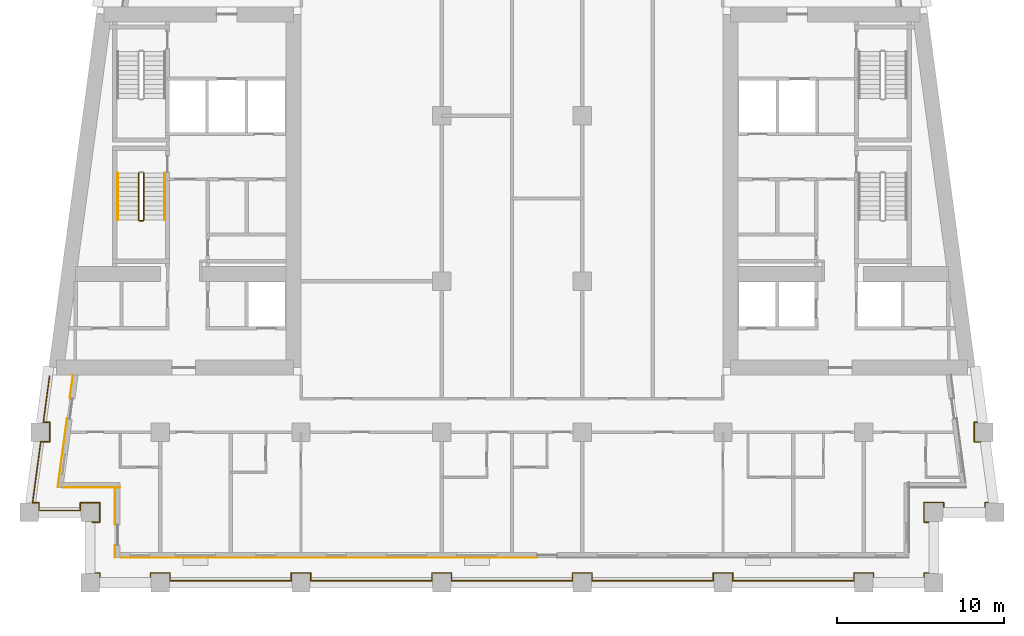
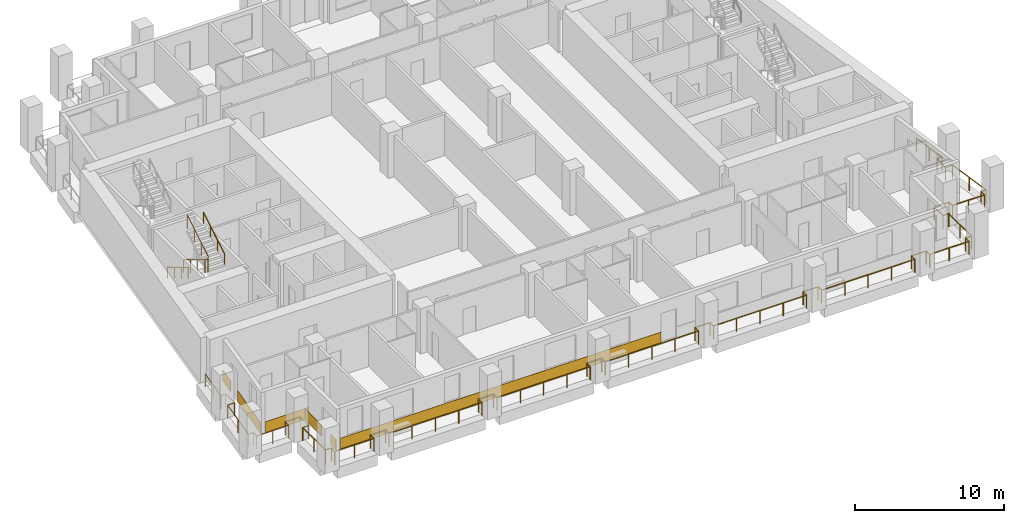
# One storey, part 8 of 12: 6 coverings, 5 railings.
"""IFC4 building model written with IfcOpenShell, lengths in metres."""

from ifc_helpers import new_model, si_unit, direction, frame, origin, origin_2d, place, context, subcontext, project, spatial, rectangle, circle, extrude, material, layer, layer_set, type_object, element, save


model = new_model("IFC4")

# Units and contexts
model_context = context("Model", 3, precision=1e-05, world=origin(), true_north=direction((0.0, 1.0)))
body_context = subcontext(model_context, "Body", "Model", "MODEL_VIEW")
ifc_project = project(units=[si_unit("LENGTHUNIT", "METRE"), si_unit("AREAUNIT", "SQUARE_METRE"), si_unit("VOLUMEUNIT", "CUBIC_METRE"), si_unit("PLANEANGLEUNIT", "RADIAN"), si_unit("MASSUNIT", "GRAM", prefix="KILO")], contexts=[model_context])

# Site, building, storey
site_placement = place(None, origin())
site = spatial("IfcSite", under=ifc_project, at=site_placement, CompositionType="ELEMENT")
building_placement = place(site_placement, origin())
building = spatial("IfcBuilding", under=site, at=building_placement, Name="Candeia Pilgrim Tower and Theatre", CompositionType="ELEMENT")
storey_placement = place(building_placement, frame((0.0, 0.0, 162.60009765625)))
storey = spatial("IfcBuildingStorey", under=building, at=storey_placement, Name="L38", CompositionType="ELEMENT", Elevation=162.60009765625)

# Railings
ifc_material_1 = material(Name="Stainless steel balustrade", Category="steel")
railing_type_1 = type_object("IfcRailingType", Name="G1 loggia guard 1100", PredefinedType="GUARDRAIL", material=ifc_material_1)
railing_1_placement = place(storey_placement, frame((88.320068359375, 101.6201171875, 0.0)))
element("IfcRailing", 1, at=railing_1_placement, inside=storey, type_object=railing_type_1, Name="Guard L38.1", PredefinedType="GUARDRAIL", context=body_context, shape_type="SweptSolid", body=[
    extrude(circle(Radius=0.02392578125, at=origin_2d()), frame((0.0, 0.0, 1.076171875), z_axis=(1.0, 0.0, 0.0), x_axis=(0.0, 1.0, 0.0)), (0.0, 0.0, 1.0), 0.4599609375),
    extrude(circle(Radius=0.02392578125, at=origin_2d()), frame((0.4599609375, 0.0, 1.076171875), z_axis=(0.0, 1.0, 0.0), x_axis=(-1.0, 0.0, 0.0)), (0.0, 0.0, 1.0), 1.159912109375),
    extrude(circle(Radius=0.02392578125, at=origin_2d()), frame((0.4599609375, 1.159912109375, 1.076171875), z_axis=(-1.0, 0.0, 0.0), x_axis=(0.0, -1.0, 0.0)), (0.0, 0.0, 1.0), 1.159912109375),
    extrude(circle(Radius=0.02392578125, at=origin_2d()), frame((-0.699951171875, 1.159912109375, 1.076171875), z_axis=(0.0, -1.0, 0.0), x_axis=(1.0, 0.0, 0.0)), (0.0, 0.0, 1.0), 0.4599609375),
    extrude(circle(Radius=0.02392578125, at=origin_2d()), frame((-0.699951171875, 0.699951171875, 1.076171875), z_axis=(-1.0, 0.0, 0.0), x_axis=(0.0, -1.0, 0.0)), (0.0, 0.0, 1.0), 2.474853515625),
    extrude(circle(Radius=0.02392578125, at=origin_2d()), frame((-3.1748046875, 0.699951171875, 1.076171875), z_axis=(0.0, 1.0, 0.0), x_axis=(-1.0, 0.0, 0.0)), (0.0, 0.0, 1.0), 0.4599609375),
    extrude(circle(Radius=0.02392578125, at=origin_2d()), frame((-3.1748046875, 1.159912109375, 1.076171875), z_axis=(-1.0, 0.0, 0.0), x_axis=(0.0, -1.0, 0.0)), (0.0, 0.0, 1.0), 0.380615234375),
    extrude(circle(Radius=0.02392578125, at=origin_2d()), frame((-3.555419921875, 1.159912109375, 1.076171875), z_axis=(0.133413267734, 0.9910604926, 0.0), x_axis=(-0.9910604926, 0.133413267734, 0.0)), (0.0, 0.0, 1.0), 3.672607421875),
    extrude(circle(Radius=0.02392578125, at=origin_2d()), frame((-3.0654296875, 4.7998046875, 1.076171875), z_axis=(1.0, 0.0, 0.0), x_axis=(0.0, 1.0, 0.0)), (0.0, 0.0, 1.0), 0.536865234375),
    extrude(circle(Radius=0.02392578125, at=origin_2d()), frame((-2.528564453125, 4.7998046875, 1.076171875), z_axis=(0.0, 1.0, 0.0), x_axis=(-1.0, 0.0, 0.0)), (0.0, 0.0, 1.0), 1.16015625),
    extrude(circle(Radius=0.02392578125, at=origin_2d()), frame((-2.528564453125, 5.9599609375, 1.076171875), z_axis=(-1.0, 0.0, 0.0), x_axis=(0.0, -1.0, 0.0)), (0.0, 0.0, 1.0), 0.380859375),
    extrude(circle(Radius=0.02392578125, at=origin_2d()), frame((-2.909423828125, 5.9599609375, 1.076171875), z_axis=(0.133468107709, 0.99105310868, 0.0), x_axis=(-0.99105310868, 0.133468107709, 0.0)), (0.0, 0.0, 1.0), 2.794921875),
    extrude(circle(Radius=0.02099609375, at=origin_2d()), origin(), (0.0, 0.0, 1.0), 1.052001953125),
    extrude(circle(Radius=0.02099609375, at=origin_2d()), frame((0.4599609375, 0.0, 0.0)), (0.0, 0.0, 1.0), 1.052001953125),
    extrude(circle(Radius=0.02099609375, at=origin_2d()), frame((0.4599609375, 1.159912109375, 0.0)), (0.0, 0.0, 1.0), 1.052001953125),
    extrude(circle(Radius=0.02099609375, at=origin_2d()), frame((-0.699951171875, 1.159912109375, 0.0)), (0.0, 0.0, 1.0), 1.052001953125),
    extrude(circle(Radius=0.02099609375, at=origin_2d()), frame((-0.699951171875, 0.699951171875, 0.0)), (0.0, 0.0, 1.0), 1.052001953125),
    extrude(circle(Radius=0.02099609375, at=origin_2d()), frame((-1.9375, 0.699951171875, 0.0)), (0.0, 0.0, 1.0), 1.052001953125),
    extrude(circle(Radius=0.02099609375, at=origin_2d()), frame((-3.1748046875, 0.699951171875, 0.0)), (0.0, 0.0, 1.0), 1.052001953125),
    extrude(circle(Radius=0.02099609375, at=origin_2d()), frame((-3.1748046875, 1.159912109375, 0.0)), (0.0, 0.0, 1.0), 1.052001953125),
    extrude(circle(Radius=0.02099609375, at=origin_2d()), frame((-3.555419921875, 1.159912109375, 0.0)), (0.0, 0.0, 1.0), 1.052001953125),
    extrude(circle(Radius=0.02099609375, at=origin_2d()), frame((-3.310546875, 2.97998046875, 0.0)), (0.0, 0.0, 1.0), 1.052001953125),
    extrude(circle(Radius=0.02099609375, at=origin_2d()), frame((-3.0654296875, 4.7998046875, 0.0)), (0.0, 0.0, 1.0), 1.052001953125),
    extrude(circle(Radius=0.02099609375, at=origin_2d()), frame((-2.528564453125, 4.7998046875, 0.0)), (0.0, 0.0, 1.0), 1.052001953125),
    extrude(circle(Radius=0.02099609375, at=origin_2d()), frame((-2.528564453125, 5.9599609375, 0.0)), (0.0, 0.0, 1.0), 1.052001953125),
    extrude(circle(Radius=0.02099609375, at=origin_2d()), frame((-2.909423828125, 5.9599609375, 0.0)), (0.0, 0.0, 1.0), 1.052001953125),
    extrude(circle(Radius=0.02099609375, at=origin_2d()), frame((-2.722900390625, 7.344970703125, 0.0)), (0.0, 0.0, 1.0), 1.052001953125),
    extrude(circle(Radius=0.02099609375, at=origin_2d()), frame((-2.536376953125, 8.72998046875, 0.0)), (0.0, 0.0, 1.0), 1.052001953125),
])
railing_2_placement = place(storey_placement, frame((141.016357421875, 110.35009765625, 0.0)))
element("IfcRailing", 2, at=railing_2_placement, inside=storey, type_object=railing_type_1, Name="Guard L38.4", PredefinedType="GUARDRAIL", context=body_context, shape_type="SweptSolid", body=[
    extrude(circle(Radius=0.02392578125, at=origin_2d()), frame((0.0, 0.0, 1.076171875), z_axis=(0.133468107709, -0.99105310868, 0.0), x_axis=(0.99105310868, 0.133468107709, 0.0)), (0.0, 0.0, 1.0), 2.794921875),
    extrude(circle(Radius=0.02392578125, at=origin_2d()), frame((0.373046875, -2.77001953125, 1.076171875), z_axis=(-1.0, 0.0, 0.0), x_axis=(0.0, -1.0, 0.0)), (0.0, 0.0, 1.0), 0.380859375),
    extrude(circle(Radius=0.02392578125, at=origin_2d()), frame((-0.0078125, -2.77001953125, 1.076171875), z_axis=(0.0, -1.0, 0.0), x_axis=(1.0, 0.0, 0.0)), (0.0, 0.0, 1.0), 1.16015625),
    extrude(circle(Radius=0.02392578125, at=origin_2d()), frame((-0.0078125, -3.93017578125, 1.076171875), z_axis=(1.0, 0.0, 0.0), x_axis=(0.0, 1.0, 0.0)), (0.0, 0.0, 1.0), 0.536865234375),
    extrude(circle(Radius=0.02392578125, at=origin_2d()), frame((0.529052734375, -3.93017578125, 1.076171875), z_axis=(0.133413267734, -0.9910604926, 0.0), x_axis=(0.9910604926, 0.133413267734, 0.0)), (0.0, 0.0, 1.0), 3.672607421875),
    extrude(circle(Radius=0.02392578125, at=origin_2d()), frame((1.01904296875, -7.570068359375, 1.076171875), z_axis=(-1.0, 0.0, 0.0), x_axis=(0.0, -1.0, 0.0)), (0.0, 0.0, 1.0), 0.380859375),
    extrude(circle(Radius=0.02392578125, at=origin_2d()), frame((0.63818359375, -7.570068359375, 1.076171875), z_axis=(0.0, -1.0, 0.0), x_axis=(1.0, 0.0, 0.0)), (0.0, 0.0, 1.0), 0.4599609375),
    extrude(circle(Radius=0.02392578125, at=origin_2d()), frame((0.63818359375, -8.030029296875, 1.076171875), z_axis=(-1.0, 0.0, 0.0), x_axis=(0.0, -1.0, 0.0)), (0.0, 0.0, 1.0), 2.474609375),
    extrude(circle(Radius=0.02392578125, at=origin_2d()), frame((-1.83642578125, -8.030029296875, 1.076171875), z_axis=(0.0, 1.0, 0.0), x_axis=(-1.0, 0.0, 0.0)), (0.0, 0.0, 1.0), 0.4599609375),
    extrude(circle(Radius=0.02392578125, at=origin_2d()), frame((-1.83642578125, -7.570068359375, 1.076171875), z_axis=(-1.0, 0.0, 0.0), x_axis=(0.0, -1.0, 0.0)), (0.0, 0.0, 1.0), 1.159912109375),
    extrude(circle(Radius=0.02392578125, at=origin_2d()), frame((-2.996337890625, -7.570068359375, 1.076171875), z_axis=(0.0, -1.0, 0.0), x_axis=(1.0, 0.0, 0.0)), (0.0, 0.0, 1.0), 1.159912109375),
    extrude(circle(Radius=0.02392578125, at=origin_2d()), frame((-2.996337890625, -8.72998046875, 1.076171875), z_axis=(1.0, 0.0, 0.0), x_axis=(0.0, 1.0, 0.0)), (0.0, 0.0, 1.0), 0.4599609375),
    extrude(circle(Radius=0.02392578125, at=origin_2d()), frame((-2.536376953125, -8.72998046875, 1.076171875), z_axis=(0.0, -1.0, 0.0), x_axis=(1.0, 0.0, 0.0)), (0.0, 0.0, 1.0), 3.0400390625),
    extrude(circle(Radius=0.02392578125, at=origin_2d()), frame((-2.536376953125, -11.77001953125, 1.076171875), z_axis=(-1.0, 0.0, 0.0), x_axis=(0.0, -1.0, 0.0)), (0.0, 0.0, 1.0), 0.4599609375),
    extrude(circle(Radius=0.02392578125, at=origin_2d()), frame((-2.996337890625, -11.77001953125, 1.076171875), z_axis=(0.0, -1.0, 0.0), x_axis=(1.0, 0.0, 0.0)), (0.0, 0.0, 1.0), 0.4599609375),
    extrude(circle(Radius=0.02392578125, at=origin_2d()), frame((-2.996337890625, -12.22998046875, 1.076171875), z_axis=(-1.0, 0.0, 0.0), x_axis=(0.0, -1.0, 0.0)), (0.0, 0.0, 1.0), 3.0400390625),
    extrude(circle(Radius=0.02392578125, at=origin_2d()), frame((-6.036376953125, -12.22998046875, 1.076171875), z_axis=(0.0, 1.0, 0.0), x_axis=(-1.0, 0.0, 0.0)), (0.0, 0.0, 1.0), 0.4599609375),
    extrude(circle(Radius=0.02392578125, at=origin_2d()), frame((-6.036376953125, -11.77001953125, 1.076171875), z_axis=(-1.0, 0.0, 0.0), x_axis=(0.0, -1.0, 0.0)), (0.0, 0.0, 1.0), 1.159912109375),
    extrude(circle(Radius=0.02392578125, at=origin_2d()), frame((-7.1962890625, -11.77001953125, 1.076171875), z_axis=(0.0, -1.0, 0.0), x_axis=(1.0, 0.0, 0.0)), (0.0, 0.0, 1.0), 0.4599609375),
    extrude(circle(Radius=0.02392578125, at=origin_2d()), frame((-7.1962890625, -12.22998046875, 1.076171875), z_axis=(-1.0, 0.0, 0.0), x_axis=(0.0, -1.0, 0.0)), (0.0, 0.0, 1.0), 7.239990234375),
    extrude(circle(Radius=0.02392578125, at=origin_2d()), frame((-14.436279296875, -12.22998046875, 1.076171875), z_axis=(0.0, 1.0, 0.0), x_axis=(-1.0, 0.0, 0.0)), (0.0, 0.0, 1.0), 0.4599609375),
    extrude(circle(Radius=0.02392578125, at=origin_2d()), frame((-14.436279296875, -11.77001953125, 1.076171875), z_axis=(-1.0, 0.0, 0.0), x_axis=(0.0, -1.0, 0.0)), (0.0, 0.0, 1.0), 1.16015625),
    extrude(circle(Radius=0.02392578125, at=origin_2d()), frame((-15.596435546875, -11.77001953125, 1.076171875), z_axis=(0.0, -1.0, 0.0), x_axis=(1.0, 0.0, 0.0)), (0.0, 0.0, 1.0), 0.4599609375),
    extrude(circle(Radius=0.02392578125, at=origin_2d()), frame((-15.596435546875, -12.22998046875, 1.076171875), z_axis=(-1.0, 0.0, 0.0), x_axis=(0.0, -1.0, 0.0)), (0.0, 0.0, 1.0), 7.239990234375),
    extrude(circle(Radius=0.02392578125, at=origin_2d()), frame((-22.83642578125, -12.22998046875, 1.076171875), z_axis=(0.0, 1.0, 0.0), x_axis=(-1.0, 0.0, 0.0)), (0.0, 0.0, 1.0), 0.4599609375),
    extrude(circle(Radius=0.02392578125, at=origin_2d()), frame((-22.83642578125, -11.77001953125, 1.076171875), z_axis=(-1.0, 0.0, 0.0), x_axis=(0.0, -1.0, 0.0)), (0.0, 0.0, 1.0), 1.159912109375),
    extrude(circle(Radius=0.02392578125, at=origin_2d()), frame((-23.996337890625, -11.77001953125, 1.076171875), z_axis=(0.0, -1.0, 0.0), x_axis=(1.0, 0.0, 0.0)), (0.0, 0.0, 1.0), 0.4599609375),
    extrude(circle(Radius=0.02392578125, at=origin_2d()), frame((-23.996337890625, -12.22998046875, 1.076171875), z_axis=(-1.0, 0.0, 0.0), x_axis=(0.0, -1.0, 0.0)), (0.0, 0.0, 1.0), 7.239990234375),
    extrude(circle(Radius=0.02392578125, at=origin_2d()), frame((-31.236328125, -12.22998046875, 1.076171875), z_axis=(0.0, 1.0, 0.0), x_axis=(-1.0, 0.0, 0.0)), (0.0, 0.0, 1.0), 0.4599609375),
    extrude(circle(Radius=0.02392578125, at=origin_2d()), frame((-31.236328125, -11.77001953125, 1.076171875), z_axis=(-1.0, 0.0, 0.0), x_axis=(0.0, -1.0, 0.0)), (0.0, 0.0, 1.0), 1.159912109375),
    extrude(circle(Radius=0.02392578125, at=origin_2d()), frame((-32.396240234375, -11.77001953125, 1.076171875), z_axis=(0.0, -1.0, 0.0), x_axis=(1.0, 0.0, 0.0)), (0.0, 0.0, 1.0), 0.4599609375),
    extrude(circle(Radius=0.02392578125, at=origin_2d()), frame((-32.396240234375, -12.22998046875, 1.076171875), z_axis=(-1.0, 0.0, 0.0), x_axis=(0.0, -1.0, 0.0)), (0.0, 0.0, 1.0), 7.240234375),
    extrude(circle(Radius=0.02392578125, at=origin_2d()), frame((-39.636474609375, -12.22998046875, 1.076171875), z_axis=(0.0, 1.0, 0.0), x_axis=(-1.0, 0.0, 0.0)), (0.0, 0.0, 1.0), 0.4599609375),
    extrude(circle(Radius=0.02392578125, at=origin_2d()), frame((-39.636474609375, -11.77001953125, 1.076171875), z_axis=(-1.0, 0.0, 0.0), x_axis=(0.0, -1.0, 0.0)), (0.0, 0.0, 1.0), 1.159912109375),
    extrude(circle(Radius=0.02392578125, at=origin_2d()), frame((-40.79638671875, -11.77001953125, 1.076171875), z_axis=(0.0, -1.0, 0.0), x_axis=(1.0, 0.0, 0.0)), (0.0, 0.0, 1.0), 0.4599609375),
    extrude(circle(Radius=0.02392578125, at=origin_2d()), frame((-40.79638671875, -12.22998046875, 1.076171875), z_axis=(-1.0, 0.0, 0.0), x_axis=(0.0, -1.0, 0.0)), (0.0, 0.0, 1.0), 7.239990234375),
    extrude(circle(Radius=0.02392578125, at=origin_2d()), frame((-48.036376953125, -12.22998046875, 1.076171875), z_axis=(0.0, 1.0, 0.0), x_axis=(-1.0, 0.0, 0.0)), (0.0, 0.0, 1.0), 0.4599609375),
    extrude(circle(Radius=0.02392578125, at=origin_2d()), frame((-48.036376953125, -11.77001953125, 1.076171875), z_axis=(-1.0, 0.0, 0.0), x_axis=(0.0, -1.0, 0.0)), (0.0, 0.0, 1.0), 1.159912109375),
    extrude(circle(Radius=0.02392578125, at=origin_2d()), frame((-49.1962890625, -11.77001953125, 1.076171875), z_axis=(0.0, -1.0, 0.0), x_axis=(1.0, 0.0, 0.0)), (0.0, 0.0, 1.0), 0.4599609375),
    extrude(circle(Radius=0.02392578125, at=origin_2d()), frame((-49.1962890625, -12.22998046875, 1.076171875), z_axis=(-1.0, 0.0, 0.0), x_axis=(0.0, -1.0, 0.0)), (0.0, 0.0, 1.0), 3.0400390625),
    extrude(circle(Radius=0.02392578125, at=origin_2d()), frame((-52.236328125, -12.22998046875, 1.076171875), z_axis=(0.0, 1.0, 0.0), x_axis=(-1.0, 0.0, 0.0)), (0.0, 0.0, 1.0), 0.4599609375),
    extrude(circle(Radius=0.02392578125, at=origin_2d()), frame((-52.236328125, -11.77001953125, 1.076171875), z_axis=(-1.0, 0.0, 0.0), x_axis=(0.0, -1.0, 0.0)), (0.0, 0.0, 1.0), 0.4599609375),
    extrude(circle(Radius=0.02392578125, at=origin_2d()), frame((-52.6962890625, -11.77001953125, 1.076171875), z_axis=(0.0, 1.0, 0.0), x_axis=(-1.0, 0.0, 0.0)), (0.0, 0.0, 1.0), 3.0400390625),
    extrude(circle(Radius=0.02099609375, at=origin_2d()), origin(), (0.0, 0.0, 1.0), 1.052001953125),
    extrude(circle(Radius=0.02099609375, at=origin_2d()), frame((0.1865234375, -1.385009765625, 0.0)), (0.0, 0.0, 1.0), 1.052001953125),
    extrude(circle(Radius=0.02099609375, at=origin_2d()), frame((0.373046875, -2.77001953125, 0.0)), (0.0, 0.0, 1.0), 1.052001953125),
    extrude(circle(Radius=0.02099609375, at=origin_2d()), frame((-0.0078125, -2.77001953125, 0.0)), (0.0, 0.0, 1.0), 1.052001953125),
    extrude(circle(Radius=0.02099609375, at=origin_2d()), frame((-0.0078125, -3.93017578125, 0.0)), (0.0, 0.0, 1.0), 1.052001953125),
    extrude(circle(Radius=0.02099609375, at=origin_2d()), frame((0.529052734375, -3.93017578125, 0.0)), (0.0, 0.0, 1.0), 1.052001953125),
    extrude(circle(Radius=0.02099609375, at=origin_2d()), frame((0.77392578125, -5.75, 0.0)), (0.0, 0.0, 1.0), 1.052001953125),
    extrude(circle(Radius=0.02099609375, at=origin_2d()), frame((1.01904296875, -7.570068359375, 0.0)), (0.0, 0.0, 1.0), 1.052001953125),
    extrude(circle(Radius=0.02099609375, at=origin_2d()), frame((0.63818359375, -7.570068359375, 0.0)), (0.0, 0.0, 1.0), 1.052001953125),
    extrude(circle(Radius=0.02099609375, at=origin_2d()), frame((0.63818359375, -8.030029296875, 0.0)), (0.0, 0.0, 1.0), 1.052001953125),
    extrude(circle(Radius=0.02099609375, at=origin_2d()), frame((-0.59912109375, -8.030029296875, 0.0)), (0.0, 0.0, 1.0), 1.052001953125),
    extrude(circle(Radius=0.02099609375, at=origin_2d()), frame((-1.83642578125, -8.030029296875, 0.0)), (0.0, 0.0, 1.0), 1.052001953125),
    extrude(circle(Radius=0.02099609375, at=origin_2d()), frame((-1.83642578125, -7.570068359375, 0.0)), (0.0, 0.0, 1.0), 1.052001953125),
    extrude(circle(Radius=0.02099609375, at=origin_2d()), frame((-2.996337890625, -7.570068359375, 0.0)), (0.0, 0.0, 1.0), 1.052001953125),
    extrude(circle(Radius=0.02099609375, at=origin_2d()), frame((-2.996337890625, -8.72998046875, 0.0)), (0.0, 0.0, 1.0), 1.052001953125),
    extrude(circle(Radius=0.02099609375, at=origin_2d()), frame((-2.536376953125, -8.72998046875, 0.0)), (0.0, 0.0, 1.0), 1.052001953125),
    extrude(circle(Radius=0.02099609375, at=origin_2d()), frame((-2.536376953125, -10.25, 0.0)), (0.0, 0.0, 1.0), 1.052001953125),
    extrude(circle(Radius=0.02099609375, at=origin_2d()), frame((-2.536376953125, -11.77001953125, 0.0)), (0.0, 0.0, 1.0), 1.052001953125),
    extrude(circle(Radius=0.02099609375, at=origin_2d()), frame((-2.996337890625, -11.77001953125, 0.0)), (0.0, 0.0, 1.0), 1.052001953125),
    extrude(circle(Radius=0.02099609375, at=origin_2d()), frame((-2.996337890625, -12.22998046875, 0.0)), (0.0, 0.0, 1.0), 1.052001953125),
    extrude(circle(Radius=0.02099609375, at=origin_2d()), frame((-4.516357421875, -12.22998046875, 0.0)), (0.0, 0.0, 1.0), 1.052001953125),
    extrude(circle(Radius=0.02099609375, at=origin_2d()), frame((-6.036376953125, -12.22998046875, 0.0)), (0.0, 0.0, 1.0), 1.052001953125),
    extrude(circle(Radius=0.02099609375, at=origin_2d()), frame((-6.036376953125, -11.77001953125, 0.0)), (0.0, 0.0, 1.0), 1.052001953125),
    extrude(circle(Radius=0.02099609375, at=origin_2d()), frame((-7.1962890625, -11.77001953125, 0.0)), (0.0, 0.0, 1.0), 1.052001953125),
    extrude(circle(Radius=0.02099609375, at=origin_2d()), frame((-7.1962890625, -12.22998046875, 0.0)), (0.0, 0.0, 1.0), 1.052001953125),
    extrude(circle(Radius=0.02099609375, at=origin_2d()), frame((-9.00634765625, -12.22998046875, 0.0)), (0.0, 0.0, 1.0), 1.052001953125),
    extrude(circle(Radius=0.02099609375, at=origin_2d()), frame((-10.81640625, -12.22998046875, 0.0)), (0.0, 0.0, 1.0), 1.052001953125),
    extrude(circle(Radius=0.02099609375, at=origin_2d()), frame((-12.626220703125, -12.22998046875, 0.0)), (0.0, 0.0, 1.0), 1.052001953125),
    extrude(circle(Radius=0.02099609375, at=origin_2d()), frame((-14.436279296875, -12.22998046875, 0.0)), (0.0, 0.0, 1.0), 1.052001953125),
    extrude(circle(Radius=0.02099609375, at=origin_2d()), frame((-14.436279296875, -11.77001953125, 0.0)), (0.0, 0.0, 1.0), 1.052001953125),
    extrude(circle(Radius=0.02099609375, at=origin_2d()), frame((-15.596435546875, -11.77001953125, 0.0)), (0.0, 0.0, 1.0), 1.052001953125),
    extrude(circle(Radius=0.02099609375, at=origin_2d()), frame((-15.596435546875, -12.22998046875, 0.0)), (0.0, 0.0, 1.0), 1.052001953125),
    extrude(circle(Radius=0.02099609375, at=origin_2d()), frame((-17.406494140625, -12.22998046875, 0.0)), (0.0, 0.0, 1.0), 1.052001953125),
    extrude(circle(Radius=0.02099609375, at=origin_2d()), frame((-19.21630859375, -12.22998046875, 0.0)), (0.0, 0.0, 1.0), 1.052001953125),
    extrude(circle(Radius=0.02099609375, at=origin_2d()), frame((-21.0263671875, -12.22998046875, 0.0)), (0.0, 0.0, 1.0), 1.052001953125),
    extrude(circle(Radius=0.02099609375, at=origin_2d()), frame((-22.83642578125, -12.22998046875, 0.0)), (0.0, 0.0, 1.0), 1.052001953125),
    extrude(circle(Radius=0.02099609375, at=origin_2d()), frame((-22.83642578125, -11.77001953125, 0.0)), (0.0, 0.0, 1.0), 1.052001953125),
    extrude(circle(Radius=0.02099609375, at=origin_2d()), frame((-23.996337890625, -11.77001953125, 0.0)), (0.0, 0.0, 1.0), 1.052001953125),
    extrude(circle(Radius=0.02099609375, at=origin_2d()), frame((-23.996337890625, -12.22998046875, 0.0)), (0.0, 0.0, 1.0), 1.052001953125),
    extrude(circle(Radius=0.02099609375, at=origin_2d()), frame((-25.806396484375, -12.22998046875, 0.0)), (0.0, 0.0, 1.0), 1.052001953125),
    extrude(circle(Radius=0.02099609375, at=origin_2d()), frame((-27.6162109375, -12.22998046875, 0.0)), (0.0, 0.0, 1.0), 1.052001953125),
    extrude(circle(Radius=0.02099609375, at=origin_2d()), frame((-29.42626953125, -12.22998046875, 0.0)), (0.0, 0.0, 1.0), 1.052001953125),
    extrude(circle(Radius=0.02099609375, at=origin_2d()), frame((-31.236328125, -12.22998046875, 0.0)), (0.0, 0.0, 1.0), 1.052001953125),
    extrude(circle(Radius=0.02099609375, at=origin_2d()), frame((-31.236328125, -11.77001953125, 0.0)), (0.0, 0.0, 1.0), 1.052001953125),
    extrude(circle(Radius=0.02099609375, at=origin_2d()), frame((-32.396240234375, -11.77001953125, 0.0)), (0.0, 0.0, 1.0), 1.052001953125),
    extrude(circle(Radius=0.02099609375, at=origin_2d()), frame((-32.396240234375, -12.22998046875, 0.0)), (0.0, 0.0, 1.0), 1.052001953125),
    extrude(circle(Radius=0.02099609375, at=origin_2d()), frame((-34.206298828125, -12.22998046875, 0.0)), (0.0, 0.0, 1.0), 1.052001953125),
    extrude(circle(Radius=0.02099609375, at=origin_2d()), frame((-36.016357421875, -12.22998046875, 0.0)), (0.0, 0.0, 1.0), 1.052001953125),
    extrude(circle(Radius=0.02099609375, at=origin_2d()), frame((-37.826416015625, -12.22998046875, 0.0)), (0.0, 0.0, 1.0), 1.052001953125),
    extrude(circle(Radius=0.02099609375, at=origin_2d()), frame((-39.636474609375, -12.22998046875, 0.0)), (0.0, 0.0, 1.0), 1.052001953125),
    extrude(circle(Radius=0.02099609375, at=origin_2d()), frame((-39.636474609375, -11.77001953125, 0.0)), (0.0, 0.0, 1.0), 1.052001953125),
    extrude(circle(Radius=0.02099609375, at=origin_2d()), frame((-40.79638671875, -11.77001953125, 0.0)), (0.0, 0.0, 1.0), 1.052001953125),
    extrude(circle(Radius=0.02099609375, at=origin_2d()), frame((-40.79638671875, -12.22998046875, 0.0)), (0.0, 0.0, 1.0), 1.052001953125),
    extrude(circle(Radius=0.02099609375, at=origin_2d()), frame((-42.6064453125, -12.22998046875, 0.0)), (0.0, 0.0, 1.0), 1.052001953125),
    extrude(circle(Radius=0.02099609375, at=origin_2d()), frame((-44.41650390625, -12.22998046875, 0.0)), (0.0, 0.0, 1.0), 1.052001953125),
    extrude(circle(Radius=0.02099609375, at=origin_2d()), frame((-46.226318359375, -12.22998046875, 0.0)), (0.0, 0.0, 1.0), 1.052001953125),
    extrude(circle(Radius=0.02099609375, at=origin_2d()), frame((-48.036376953125, -12.22998046875, 0.0)), (0.0, 0.0, 1.0), 1.052001953125),
    extrude(circle(Radius=0.02099609375, at=origin_2d()), frame((-48.036376953125, -11.77001953125, 0.0)), (0.0, 0.0, 1.0), 1.052001953125),
    extrude(circle(Radius=0.02099609375, at=origin_2d()), frame((-49.1962890625, -11.77001953125, 0.0)), (0.0, 0.0, 1.0), 1.052001953125),
    extrude(circle(Radius=0.02099609375, at=origin_2d()), frame((-49.1962890625, -12.22998046875, 0.0)), (0.0, 0.0, 1.0), 1.052001953125),
    extrude(circle(Radius=0.02099609375, at=origin_2d()), frame((-50.71630859375, -12.22998046875, 0.0)), (0.0, 0.0, 1.0), 1.052001953125),
    extrude(circle(Radius=0.02099609375, at=origin_2d()), frame((-52.236328125, -12.22998046875, 0.0)), (0.0, 0.0, 1.0), 1.052001953125),
    extrude(circle(Radius=0.02099609375, at=origin_2d()), frame((-52.236328125, -11.77001953125, 0.0)), (0.0, 0.0, 1.0), 1.052001953125),
    extrude(circle(Radius=0.02099609375, at=origin_2d()), frame((-52.6962890625, -11.77001953125, 0.0)), (0.0, 0.0, 1.0), 1.052001953125),
    extrude(circle(Radius=0.02099609375, at=origin_2d()), frame((-52.6962890625, -10.25, 0.0)), (0.0, 0.0, 1.0), 1.052001953125),
    extrude(circle(Radius=0.02099609375, at=origin_2d()), frame((-52.6962890625, -8.72998046875, 0.0)), (0.0, 0.0, 1.0), 1.052001953125),
])

# Coverings
ifc_material_2 = material(Name="Glazed ceramic tile rust")
ifc_layer = layer(ifc_material_2, 0.02001953125)
ifc_layer_set = layer_set([ifc_layer], Name="Glazed ceramic tile rust")
covering_type = type_object("IfcCoveringType", Name="Glazed ceramic tile rust", PredefinedType="CLADDING", material=ifc_layer_set)
covering_1_placement = place(storey_placement, frame((102.4599609375, 99.489990234375, 0.0), z_axis=(0.0, 0.0, 1.0), x_axis=(1.0, 0.0, 0.0)))
element("IfcCovering", 3, at=covering_1_placement, inside=storey, type_object=covering_type, Name="Tile cladding rust L38", PredefinedType="CLADDING", context=body_context, shape_type="SweptSolid", body=[
    extrude(rectangle(XDim=24.8798828125, YDim=0.02001953125, at=origin_2d()), origin(), (0.0, 0.0, 1.0), 0.89990234375),
])
covering_2_placement = place(storey_placement, frame((87.0810546875, 109.71875, 0.0), z_axis=(0.0, 0.0, 1.0), x_axis=(-0.133412012145, -0.991060661622, 0.0)))
element("IfcCovering", 4, at=covering_2_placement, inside=storey, type_object=covering_type, Name="Tile cladding rust L38", PredefinedType="CLADDING", context=body_context, shape_type="SweptSolid", body=[
    extrude(rectangle(XDim=1.41796875, YDim=0.02001953125, at=origin_2d()), origin(), (0.0, 0.0, 1.0), 0.89990234375),
])
covering_3_placement = place(storey_placement, frame((86.548583984375, 105.763916015625, 0.0), z_axis=(0.0, 0.0, 1.0), x_axis=(-0.133412012145, -0.991060661622, 0.0)))
element("IfcCovering", 5, at=covering_3_placement, inside=storey, type_object=covering_type, Name="Tile cladding rust L38", PredefinedType="CLADDING", context=body_context, shape_type="SweptSolid", body=[
    extrude(rectangle(XDim=4.16259765625, YDim=0.02001953125, at=origin_2d()), origin(), (0.0, 0.0, 1.0), 0.89990234375),
])
covering_4_placement = place(storey_placement, frame((88.311279296875, 103.68994140625, 0.0), z_axis=(0.0, 0.0, 1.0), x_axis=(1.0, 0.0, 0.0)))
element("IfcCovering", 6, at=covering_4_placement, inside=storey, type_object=covering_type, Name="Tile cladding rust L38", PredefinedType="CLADDING", context=body_context, shape_type="SweptSolid", body=[
    extrude(rectangle(XDim=3.377685546875, YDim=0.02001953125, at=origin_2d()), origin(), (0.0, 0.0, 1.0), 0.89990234375),
])
covering_5_placement = place(storey_placement, frame((89.68994140625, 102.56494140625, 0.0), z_axis=(0.0, 0.0, 1.0), x_axis=(0.0, -1.0, 0.0)))
element("IfcCovering", 7, at=covering_5_placement, inside=storey, type_object=covering_type, Name="Tile cladding rust L38", PredefinedType="CLADDING", context=body_context, shape_type="SweptSolid", body=[
    extrude(rectangle(XDim=2.22998046875, YDim=0.02001953125, at=origin_2d()), origin(), (0.0, 0.0, 1.0), 0.89990234375),
])
covering_6_placement = place(storey_placement, frame((89.68994140625, 99.875, 0.0), z_axis=(0.0, 0.0, 1.0), x_axis=(0.0, -1.0, 0.0)))
element("IfcCovering", 8, at=covering_6_placement, inside=storey, type_object=covering_type, Name="Tile cladding rust L38", PredefinedType="CLADDING", context=body_context, shape_type="SweptSolid", body=[
    extrude(rectangle(XDim=0.75, YDim=0.02001953125, at=origin_2d()), origin(), (0.0, 0.0, 1.0), 0.89990234375),
])

# Railings
railing_type_2 = type_object("IfcRailingType", Name="RL-GUARD-1100", PredefinedType="GUARDRAIL", material=ifc_material_1)
railing_3_placement = place(storey_placement, frame((91.10205078125, 122.47509765625, 0.16796875)))
element("IfcRailing", 9, at=railing_3_placement, inside=storey, type_object=railing_type_2, Name="L38 ST1 stair guard 1", PredefinedType="GUARDRAIL", context=body_context, shape_type="SweptSolid", body=[
    extrude(circle(Radius=0.02392578125, at=origin_2d()), frame((0.0, 0.0, 1.076171875), z_axis=(0.0, -0.857242210791, 0.514913383045), x_axis=(1.0, 0.0, 0.0)), (0.0, 0.0, 1.0), 3.266357421875),
    extrude(circle(Radius=0.02392578125, at=origin_2d()), frame((0.0, -2.800048828125, 2.7578125), z_axis=(0.707106781187, -0.707106781187, 0.0), x_axis=(0.707106781187, 0.707106781187, 0.0)), (0.0, 0.0, 1.0), 0.07080078125),
    extrude(circle(Radius=0.02392578125, at=origin_2d()), frame((0.050048828125, -2.85009765625, 2.7578125), z_axis=(1.0, 0.0, 0.0), x_axis=(0.0, 1.0, 0.0)), (0.0, 0.0, 1.0), 0.199951171875),
    extrude(circle(Radius=0.02392578125, at=origin_2d()), frame((0.25, -2.85009765625, 2.7578125), z_axis=(0.274243871929, 0.274243871929, 0.92172696468), x_axis=(-0.707106781187, 0.707106781187, 0.0)), (0.0, 0.0, 1.0), 0.1826171875),
    extrude(circle(Radius=0.02392578125, at=origin_2d()), frame((0.300048828125, -2.800048828125, 2.92626953125), z_axis=(0.0, 0.857242210791, 0.514913383045), x_axis=(-1.0, 0.0, 0.0)), (0.0, 0.0, 1.0), 3.266357421875),
    extrude(circle(Radius=0.02099609375, at=origin_2d()), origin(), (0.0, 0.0, 1.0), 1.052001953125),
    extrude(circle(Radius=0.02099609375, at=origin_2d()), frame((0.0, -0.933349609375, 0.560546875)), (0.0, 0.0, 1.0), 1.052001953125),
    extrude(circle(Radius=0.02099609375, at=origin_2d()), frame((0.0, -1.86669921875, 1.121337890625)), (0.0, 0.0, 1.0), 1.052001953125),
    extrude(circle(Radius=0.02099609375, at=origin_2d()), frame((0.0, -2.800048828125, 1.681884765625)), (0.0, 0.0, 1.0), 1.052001953125),
    extrude(circle(Radius=0.02099609375, at=origin_2d()), frame((0.050048828125, -2.85009765625, 1.681884765625)), (0.0, 0.0, 1.0), 1.052001953125),
    extrude(circle(Radius=0.02099609375, at=origin_2d()), frame((0.25, -2.85009765625, 1.681884765625)), (0.0, 0.0, 1.0), 1.052001953125),
    extrude(circle(Radius=0.02099609375, at=origin_2d()), frame((0.300048828125, -2.800048828125, 1.85009765625)), (0.0, 0.0, 1.0), 1.052001953125),
    extrude(circle(Radius=0.02099609375, at=origin_2d()), frame((0.300048828125, -1.86669921875, 2.41064453125)), (0.0, 0.0, 1.0), 1.052001953125),
    extrude(circle(Radius=0.02099609375, at=origin_2d()), frame((0.300048828125, -0.933349609375, 2.971435546875)), (0.0, 0.0, 1.0), 1.052001953125),
    extrude(circle(Radius=0.02099609375, at=origin_2d()), frame((0.300048828125, 0.0, 3.531982421875)), (0.0, 0.0, 1.0), 1.052001953125),
])
ifc_material_3 = material(Name="Stainless steel handrail", Category="steel")
railing_type_3 = type_object("IfcRailingType", Name="RL-HANDRAIL-900", PredefinedType="HANDRAIL", material=ifc_material_3)
railing_4_placement = place(storey_placement, frame((89.85205078125, 122.47509765625, 0.16796875)))
element("IfcRailing", 10, at=railing_4_placement, inside=storey, type_object=railing_type_3, Name="L38 ST1 stair handrail 1", PredefinedType="HANDRAIL", context=body_context, shape_type="SweptSolid", body=[
    extrude(circle(Radius=0.02392578125, at=origin_2d()), frame((0.0, 0.0, 0.8759765625), z_axis=(0.0, -0.857242210791, 0.514913383045), x_axis=(1.0, 0.0, 0.0)), (0.0, 0.0, 1.0), 3.266357421875),
    extrude(circle(Radius=0.02099609375, at=origin_2d()), origin(), (0.0, 0.0, 1.0), 0.851806640625),
    extrude(circle(Radius=0.02099609375, at=origin_2d()), frame((0.0, -0.933349609375, 0.560546875)), (0.0, 0.0, 1.0), 0.851806640625),
    extrude(circle(Radius=0.02099609375, at=origin_2d()), frame((0.0, -1.86669921875, 1.121337890625)), (0.0, 0.0, 1.0), 0.851806640625),
    extrude(circle(Radius=0.02099609375, at=origin_2d()), frame((0.0, -2.800048828125, 1.681884765625)), (0.0, 0.0, 1.0), 0.851806640625),
])
railing_5_placement = place(storey_placement, frame((92.652099609375, 119.675048828125, 2.01806640625)))
element("IfcRailing", 11, at=railing_5_placement, inside=storey, type_object=railing_type_3, Name="L38 ST1 stair handrail 2", PredefinedType="HANDRAIL", context=body_context, shape_type="SweptSolid", body=[
    extrude(circle(Radius=0.02392578125, at=origin_2d()), frame((0.0, 0.0, 0.8759765625), z_axis=(0.0, 0.857242210791, 0.514913383045), x_axis=(-1.0, 0.0, 0.0)), (0.0, 0.0, 1.0), 3.266357421875),
    extrude(circle(Radius=0.02099609375, at=origin_2d()), origin(), (0.0, 0.0, 1.0), 0.851806640625),
    extrude(circle(Radius=0.02099609375, at=origin_2d()), frame((0.0, 0.933349609375, 0.560546875)), (0.0, 0.0, 1.0), 0.851806640625),
    extrude(circle(Radius=0.02099609375, at=origin_2d()), frame((0.0, 1.86669921875, 1.121337890625)), (0.0, 0.0, 1.0), 0.851806640625),
    extrude(circle(Radius=0.02099609375, at=origin_2d()), frame((0.0, 2.800048828125, 1.681884765625)), (0.0, 0.0, 1.0), 0.851806640625),
])

save(model, "model.ifc")
